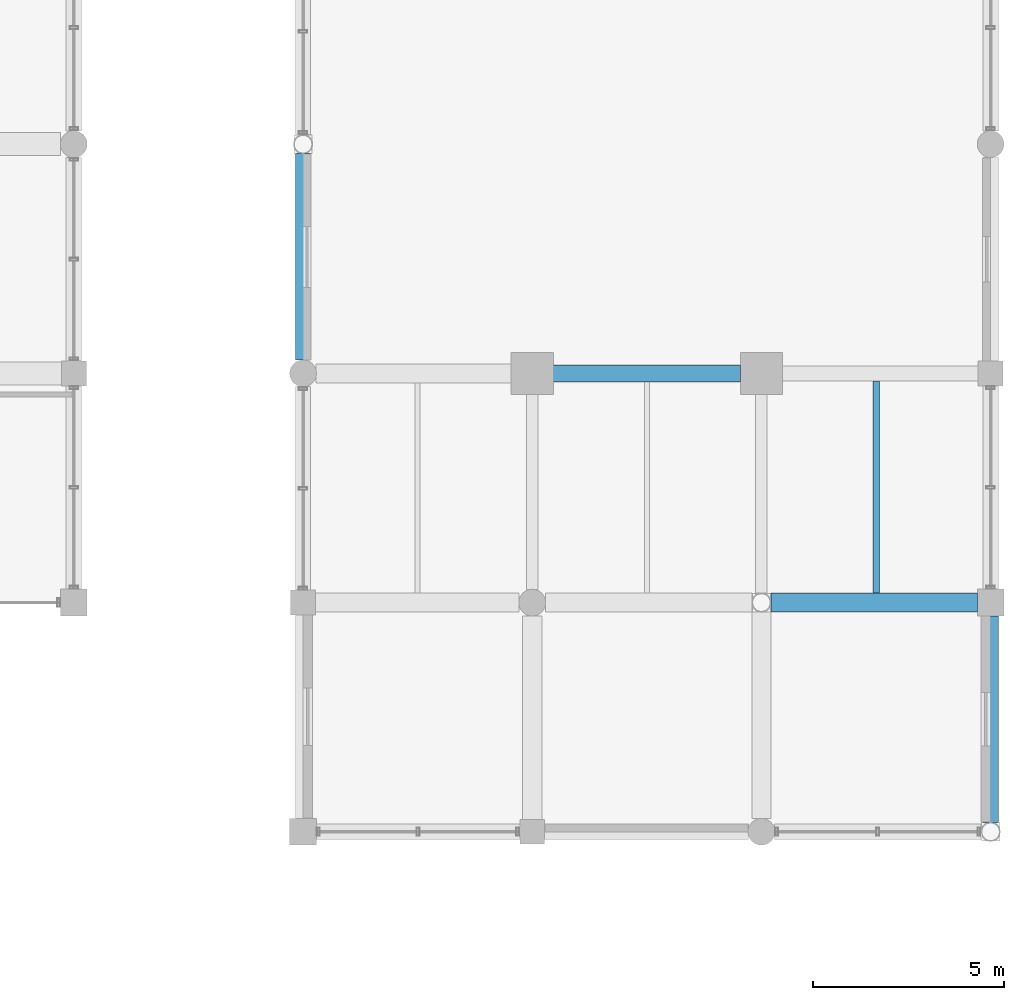
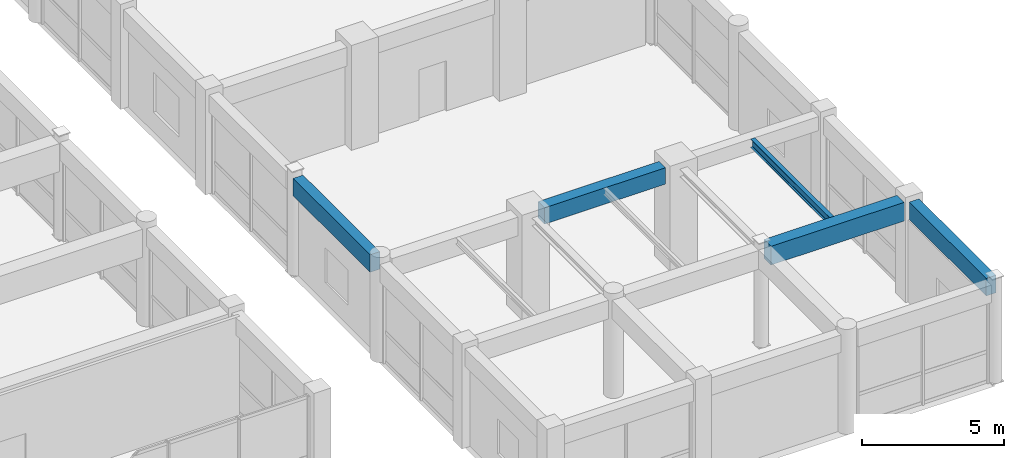
# One storey, part 55 of 116: 5 beams.
"""IFC4 building model written with IfcOpenShell, lengths in metres."""

from ifc_helpers import new_model, si_unit, direction, frame, origin, origin_2d, place, context, subcontext, project, spatial, rectangle, i_section, extrude, material, material_profile, profile_set, type_object, element, save


model = new_model("IFC4")

# Units and contexts
model_context = context("Model", 3, precision=1e-05, world=origin(), true_north=direction((0.0, 1.0)))
body_context = subcontext(model_context, "Body", "Model", "MODEL_VIEW")
ifc_project = project(units=[si_unit("LENGTHUNIT", "METRE"), si_unit("AREAUNIT", "SQUARE_METRE"), si_unit("VOLUMEUNIT", "CUBIC_METRE"), si_unit("PLANEANGLEUNIT", "RADIAN"), si_unit("MASSUNIT", "GRAM", prefix="KILO"), si_unit("THERMODYNAMICTEMPERATUREUNIT", "KELVIN"), si_unit("POWERUNIT", "WATT")], contexts=[model_context])

# Site, building, storey
site_placement = place(None, origin())
site = spatial("IfcSite", under=ifc_project, at=site_placement, CompositionType="ELEMENT")
building_placement = place(site_placement, origin())
building = spatial("IfcBuilding", under=site, at=building_placement, Name="Phaisarnlok Congress Hotel", CompositionType="ELEMENT")
storey_placement = place(building_placement, frame((0.0, 0.0, 10.5)))
storey = spatial("IfcBuildingStorey", under=building, at=storey_placement, Name="L02", CompositionType="ELEMENT", Elevation=10.5)

# Beams
ifc_material_1 = material(Name="Concrete C40/50", Category="concrete")
ifc_material_profile_1 = material_profile(ifc_material_1, rectangle(XDim=0.449951171875, YDim=0.699951171875, at=origin_2d()), Name="RC 450x700")
ifc_profile_set_1 = profile_set([ifc_material_profile_1], Name="Concrete C40/50")
beam_type_1 = type_object("IfcBeamType", Name="BM-RC-450x700", PredefinedType="BEAM", material=ifc_profile_set_1)
beam_1_placement = place(storey_placement, frame((168.544921875, 42.0, 3.889892578125), z_axis=(1.0, 0.0, 0.0), x_axis=(0.0, 1.0, 0.0)))
element("IfcBeam", 1, at=beam_1_placement, inside=storey, type_object=beam_type_1, Name="Beam B-03", PredefinedType="BEAM", context=body_context, shape_type="SweptSolid", body=[
    extrude(rectangle(XDim=0.449951171875, YDim=0.699951171875, at=origin_2d()), origin(), (0.0, 0.0, 1.0), 4.91015625),
])
ifc_material_profile_2 = material_profile(ifc_material_1, rectangle(XDim=0.5, YDim=0.800048828125, at=origin_2d()), Name="RC 500x800")
ifc_profile_set_2 = profile_set([ifc_material_profile_2], Name="Concrete C40/50")
beam_type_2 = type_object("IfcBeamType", Name="BM-RC-500x800", PredefinedType="BEAM", material=ifc_profile_set_2)
beam_2_placement = place(storey_placement, frame((174.2490234375, 36.0, 3.840087890625), z_axis=(1.0, 0.0, 0.0), x_axis=(0.0, 1.0, 0.0)))
element("IfcBeam", 2, at=beam_2_placement, inside=storey, type_object=beam_type_2, Name="Beam B-04", PredefinedType="BEAM", context=body_context, shape_type="SweptSolid", body=[
    extrude(rectangle(XDim=0.5, YDim=0.800048828125, at=origin_2d()), origin(), (0.0, 0.0, 1.0), 5.406005859375),
])
ifc_material_2 = material(Name="Steel S355", Category="steel")
ifc_material_profile_3 = material_profile(ifc_material_2, i_section(OverallWidth=0.169921875, OverallDepth=0.360107421875, WebThickness=0.008056640625, FlangeThickness=0.0126953125, FilletRadius=0.01806640625, at=origin_2d()), Name="IPE 360")
ifc_profile_set_3 = profile_set([ifc_material_profile_3], Name="Steel S355")
beam_type_3 = type_object("IfcBeamType", Name="JS-STL-IPE360", PredefinedType="JOIST", material=ifc_profile_set_3)
beam_3_placement = place(storey_placement, frame((177.0, 36.2451171875, 4.06005859375), z_axis=(0.0, 1.0, 0.0), x_axis=(-1.0, 0.0, 0.0)))
element("IfcBeam", 3, at=beam_3_placement, inside=storey, type_object=beam_type_3, Name="Secondary floor joist J-04", PredefinedType="JOIST", context=body_context, shape_type="SweptSolid", body=[
    extrude(i_section(OverallWidth=0.169921875, OverallDepth=0.360107421875, WebThickness=0.008056640625, FlangeThickness=0.0126953125, FilletRadius=0.01806640625, at=origin_2d()), origin(), (0.0, 0.0, 1.0), 5.559814453125),
])
ifc_material_profile_4 = material_profile(ifc_material_1, rectangle(XDim=0.39990234375, YDim=0.75, at=origin_2d()), Name="RC 400x750")
ifc_profile_set_4 = profile_set([ifc_material_profile_4], Name="Concrete C40/50")
beam_type_4 = type_object("IfcBeamType", Name="SP-RC-400x750", PredefinedType="SPANDREL", material=ifc_profile_set_4)
for number, where, z_axis, x_axis, name in (
    (4, (162.0, 42.344970703125, 3.864990234375), (0.0, 1.0, 0.0), (-1.0, 0.0, 0.0), "Beam SP-02"),
    (5, (180.0, 30.2490234375, 3.885009765625), (0.0, 1.0, 0.0), (-1.0, 0.0, 0.0), "Beam SP-02"),
):
    element("IfcBeam", number, at=place(storey_placement, frame(where, z_axis=z_axis, x_axis=x_axis)), inside=storey, type_object=beam_type_4, Name=name, PredefinedType="SPANDREL", context=body_context, shape_type="SweptSolid", body=[
        extrude(rectangle(XDim=0.39990234375, YDim=0.75, at=origin_2d()), origin(), (0.0, 0.0, 1.0), 5.406005859375),
    ])

save(model, "model.ifc")
